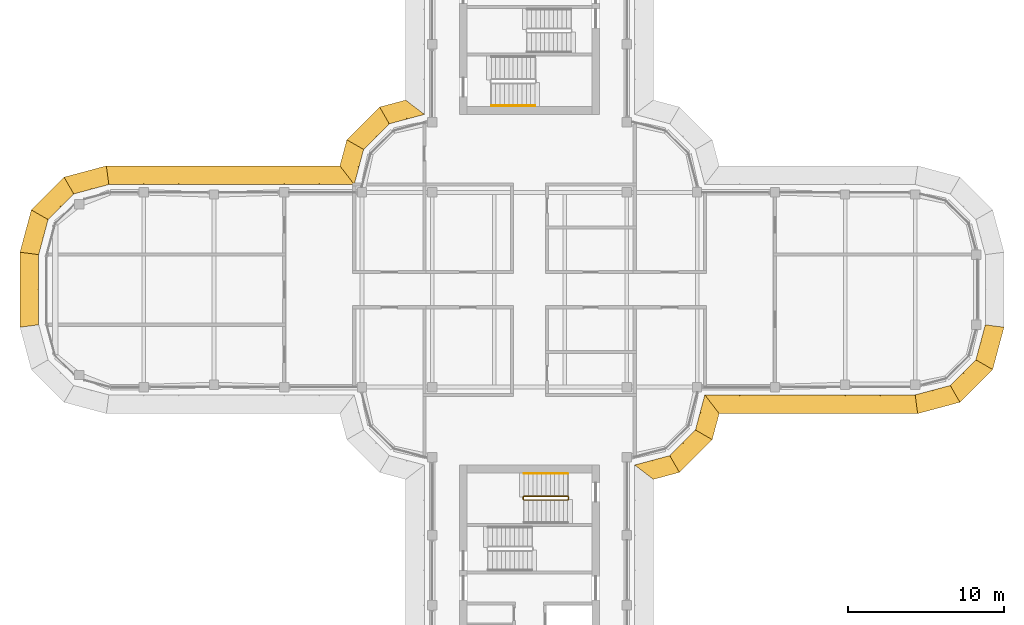
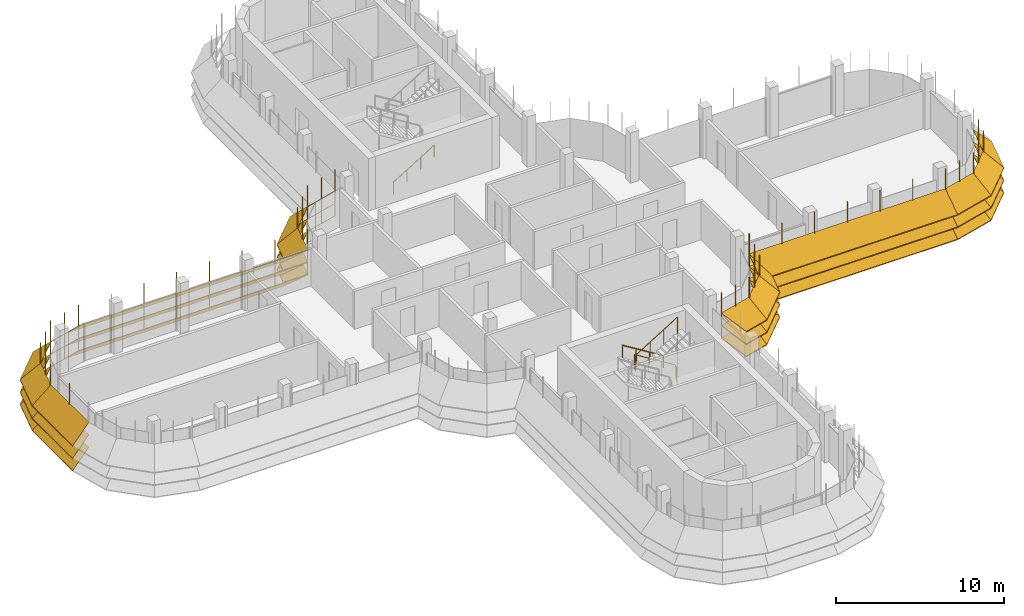
# One storey, part 17 of 19: 7 shading devices, 3 railings.
"""IFC4 building model written with IfcOpenShell, lengths in metres."""

from ifc_helpers import new_model, si_unit, direction, frame, origin, origin_2d, place, context, subcontext, project, spatial, polyline, circle, outline, extrude, faceted_brep, source, transform, mapped, material, type_object, element, save


model = new_model("IFC4")

# Units and contexts
model_context = context("Model", 3, precision=1e-05, world=origin(), true_north=direction((0.0, 1.0)))
body_context = subcontext(model_context, "Body", "Model", "MODEL_VIEW")
ifc_project = project(units=[si_unit("LENGTHUNIT", "METRE"), si_unit("AREAUNIT", "SQUARE_METRE"), si_unit("VOLUMEUNIT", "CUBIC_METRE"), si_unit("PLANEANGLEUNIT", "RADIAN"), si_unit("MASSUNIT", "GRAM", prefix="KILO")], contexts=[model_context])

# Site, building, storey
site_placement = place(None, origin())
site = spatial("IfcSite", under=ifc_project, at=site_placement, CompositionType="ELEMENT")
building_placement = place(site_placement, origin())
building = spatial("IfcBuilding", under=site, at=building_placement, Name="Zarbagh Exchange Tower", CompositionType="ELEMENT")
storey_placement = place(building_placement, frame((0.0, 0.0, 272.60009765625)))
storey = spatial("IfcBuildingStorey", under=building, at=storey_placement, Name="L67", CompositionType="ELEMENT", Elevation=272.60009765625)

# Railings
ifc_material_1 = material(Name="Stainless steel", Category="steel")
railing_type_1 = type_object("IfcRailingType", Name="Stair guard 1100 mm", PredefinedType="GUARDRAIL", material=ifc_material_1)
railing_1_placement = place(storey_placement, frame((-0.35009765625, -13.5, 2.072509765625)))
element("IfcRailing", 1, at=railing_1_placement, inside=storey, type_object=railing_type_1, Name="ST4 stair guard 1", PredefinedType="GUARDRAIL", context=body_context, shape_type="SweptSolid", body=[
    extrude(circle(Radius=0.02392578125, at=origin_2d()), frame((0.0, 0.0, 1.076171875), z_axis=(0.851089632645, 0.0, 0.525020415988), x_axis=(0.0, 1.0, 0.0)), (0.0, 0.0, 1.0), 3.2900390625),
    extrude(circle(Radius=0.02392578125, at=origin_2d()), frame((2.800048828125, 0.0, 2.80322265625), z_axis=(0.013169136761, 0.013169136761, -0.999826558796), x_axis=(-0.707106781187, 0.707106781187, 0.0)), (0.0, 0.0, 1.0), 3.800537109375),
    extrude(circle(Radius=0.02392578125, at=origin_2d()), frame((2.85009765625, 0.050048828125, -0.99658203125), z_axis=(0.0, 1.0, 0.0), x_axis=(-1.0, 0.0, 0.0)), (0.0, 0.0, 1.0), 0.14990234375),
    extrude(circle(Radius=0.02392578125, at=origin_2d()), frame((2.85009765625, 0.199951171875, -0.99658203125), z_axis=(-0.268277960024, 0.268277960024, 0.925231793839), x_axis=(-0.707106781187, -0.707106781187, 0.0)), (0.0, 0.0, 1.0), 0.1865234375),
    extrude(circle(Radius=0.02392578125, at=origin_2d()), frame((2.800048828125, 0.25, -0.82373046875), z_axis=(-0.851089632645, 0.0, 0.525020415988), x_axis=(0.0, -1.0, 0.0)), (0.0, 0.0, 1.0), 3.2900390625),
    extrude(circle(Radius=0.02392578125, at=origin_2d()), frame((0.0, 0.25, 0.9033203125), z_axis=(-0.705375805398, -0.708833529934, 0.0), x_axis=(0.708833529934, -0.705375805398, 0.0)), (0.0, 0.0, 1.0), 0.070556640625),
    extrude(circle(Radius=0.02392578125, at=origin_2d()), frame((-0.0498046875, 0.199951171875, 0.9033203125), z_axis=(0.0, -1.0, 0.0), x_axis=(1.0, 0.0, 0.0)), (0.0, 0.0, 1.0), 0.14990234375),
    extrude(circle(Radius=0.02099609375, at=origin_2d()), origin(), (0.0, 0.0, 1.0), 1.052001953125),
    extrude(circle(Radius=0.02099609375, at=origin_2d()), frame((0.933349609375, 0.0, 0.57568359375)), (0.0, 0.0, 1.0), 1.052001953125),
    extrude(circle(Radius=0.02099609375, at=origin_2d()), frame((1.86669921875, 0.0, 1.151611328125)), (0.0, 0.0, 1.0), 1.052001953125),
    extrude(circle(Radius=0.02099609375, at=origin_2d()), frame((2.800048828125, 0.0, 1.727294921875)), (0.0, 0.0, 1.0), 1.052001953125),
    extrude(circle(Radius=0.02099609375, at=origin_2d()), frame((2.8125, 0.012451171875, 0.77734375)), (0.0, 0.0, 1.0), 1.052001953125),
    extrude(circle(Radius=0.02099609375, at=origin_2d()), frame((2.8251953125, 0.02490234375, -0.172607421875)), (0.0, 0.0, 1.0), 1.052001953125),
    extrude(circle(Radius=0.02099609375, at=origin_2d()), frame((2.837646484375, 0.03759765625, -1.12255859375)), (0.0, 0.0, 1.0), 1.052001953125),
    extrude(circle(Radius=0.02099609375, at=origin_2d()), frame((2.85009765625, 0.050048828125, -2.072509765625)), (0.0, 0.0, 1.0), 1.052001953125),
    extrude(circle(Radius=0.02099609375, at=origin_2d()), frame((2.85009765625, 0.199951171875, -2.072509765625)), (0.0, 0.0, 1.0), 1.052001953125),
    extrude(circle(Radius=0.02099609375, at=origin_2d()), frame((2.800048828125, 0.25, -1.89990234375)), (0.0, 0.0, 1.0), 1.052001953125),
    extrude(circle(Radius=0.02099609375, at=origin_2d()), frame((1.86669921875, 0.25, -1.32421875)), (0.0, 0.0, 1.0), 1.052001953125),
    extrude(circle(Radius=0.02099609375, at=origin_2d()), frame((0.933349609375, 0.25, -0.748291015625)), (0.0, 0.0, 1.0), 1.052001953125),
    extrude(circle(Radius=0.02099609375, at=origin_2d()), frame((0.0, 0.25, -0.172607421875)), (0.0, 0.0, 1.0), 1.052001953125),
    extrude(circle(Radius=0.02099609375, at=origin_2d()), frame((-0.0498046875, 0.199951171875, -0.172607421875)), (0.0, 0.0, 1.0), 1.052001953125),
    extrude(circle(Radius=0.02099609375, at=origin_2d()), frame((-0.0498046875, 0.050048828125, -0.172607421875)), (0.0, 0.0, 1.0), 1.052001953125),
])
railing_type_2 = type_object("IfcRailingType", Name="Stair handrail 900 mm", PredefinedType="HANDRAIL", material=ifc_material_1)
railing_2_placement = place(storey_placement, frame((-2.449951171875, 11.800048828125, 0.172607421875)))
element("IfcRailing", 2, at=railing_2_placement, inside=storey, type_object=railing_type_2, Name="ST2 stair handrail 1", PredefinedType="HANDRAIL", context=body_context, shape_type="SweptSolid", body=[
    extrude(circle(Radius=0.02392578125, at=origin_2d()), frame((0.0, 0.0, 0.8759765625), z_axis=(0.851089632645, 0.0, 0.525020415988), x_axis=(0.0, 1.0, 0.0)), (0.0, 0.0, 1.0), 3.2900390625),
    extrude(circle(Radius=0.02099609375, at=origin_2d()), origin(), (0.0, 0.0, 1.0), 0.851806640625),
    extrude(circle(Radius=0.02099609375, at=origin_2d()), frame((0.933349609375, 0.0, 0.57568359375)), (0.0, 0.0, 1.0), 0.851806640625),
    extrude(circle(Radius=0.02099609375, at=origin_2d()), frame((1.86669921875, 0.0, 1.151611328125)), (0.0, 0.0, 1.0), 0.851806640625),
    extrude(circle(Radius=0.02099609375, at=origin_2d()), frame((2.800048828125, 0.0, 1.727294921875)), (0.0, 0.0, 1.0), 0.851806640625),
])
railing_3_placement = place(storey_placement, frame((2.449951171875, -11.800048828125, 0.172607421875)))
element("IfcRailing", 3, at=railing_3_placement, inside=storey, type_object=railing_type_2, Name="ST4 stair handrail 1", PredefinedType="HANDRAIL", context=body_context, shape_type="SweptSolid", body=[
    extrude(circle(Radius=0.02392578125, at=origin_2d()), frame((0.0, 0.0, 0.8759765625), z_axis=(-0.851089632645, 0.0, 0.525020415988), x_axis=(0.0, -1.0, 0.0)), (0.0, 0.0, 1.0), 3.2900390625),
    extrude(circle(Radius=0.02099609375, at=origin_2d()), origin(), (0.0, 0.0, 1.0), 0.851806640625),
    extrude(circle(Radius=0.02099609375, at=origin_2d()), frame((-0.933349609375, 0.0, 0.57568359375)), (0.0, 0.0, 1.0), 0.851806640625),
    extrude(circle(Radius=0.02099609375, at=origin_2d()), frame((-1.86669921875, 0.0, 1.151611328125)), (0.0, 0.0, 1.0), 0.851806640625),
    extrude(circle(Radius=0.02099609375, at=origin_2d()), frame((-2.800048828125, 0.0, 1.727294921875)), (0.0, 0.0, 1.0), 0.851806640625),
])

# Shading devices
ifc_material_2 = material(Name="Anodised aluminium blades and brackets", Category="aluminium")
shading_device_type = type_object("IfcShadingDeviceType", Name="SUNSHADE louvre band, 45 degree blades", PredefinedType="JALOUSIE", material=ifc_material_2)
shared_shape_1 = source(origin(), body_context, "Body", "Brep", [
    faceted_brep([(0.0, 0.0, 0.0), (0.0, 0.0, -0.056640625), (-0.157958984375, -1.199951171875, -1.256591796875), (-0.157958984375, -1.199951171875, -1.199951171875), (2.65087890625, -1.199951171875, -1.199951171875), (2.65087890625, -1.199951171875, -1.256591796875), (2.329345703125, 0.0, -0.056640625), (2.329345703125, 0.0, 0.0)], [[[0, 1, 2, 3]], [[4, 5, 6, 7]], [[0, 7, 6, 1]], [[1, 6, 5, 2]], [[2, 5, 4, 3]], [[3, 4, 7, 0]]]),
])
shared_shape_2 = source(origin(), body_context, "Body", "Brep", [
    faceted_brep([(0.0, 0.0, 0.0), (0.0, 0.0, -0.056640625), (-0.321533203125, -1.199951171875, -1.256591796875), (-0.321533203125, -1.199951171875, -1.199951171875), (2.65087890625, -1.199951171875, -1.199951171875), (2.65087890625, -1.199951171875, -1.256591796875), (2.329345703125, 0.0, -0.056640625), (2.329345703125, 0.0, 0.0)], [[[0, 1, 2, 3]], [[4, 5, 6, 7]], [[0, 7, 6, 1]], [[1, 6, 5, 2]], [[2, 5, 4, 3]], [[3, 4, 7, 0]]]),
])
shared_shape_3 = source(origin(), body_context, "Body", "Brep", [
    faceted_brep([(0.0, 0.0, 0.0), (0.0, 0.0, -0.056640625), (-0.321533203125, -1.199951171875, -1.256591796875), (-0.321533203125, -1.199951171875, -1.199951171875), (2.4873046875, -1.199951171875, -1.199951171875), (2.4873046875, -1.199951171875, -1.256591796875), (2.329345703125, 0.0, -0.056640625), (2.329345703125, 0.0, 0.0)], [[[0, 1, 2, 3]], [[4, 5, 6, 7]], [[0, 7, 6, 1]], [[1, 6, 5, 2]], [[2, 5, 4, 3]], [[3, 4, 7, 0]]]),
])
shared_shape_4 = source(origin(), body_context, "Body", "SweptSolid", [
    extrude(outline(polyline([(0.0, -0.012451171875), (0.06005859375, -0.012451171875), (0.06005859375, 0.012451171875), (0.0, 0.012451171875), (0.0, -0.012451171875)])), origin(), (0.0, 0.0, 1.0), 3.366455078125),
])
placement = place(storey_placement, origin())
element("IfcShadingDevice", 4, at=placement, inside=storey, type_object=shading_device_type, Name="SS51 sunshade band", PredefinedType="JALOUSIE", context=body_context, shape_type="MappedRepresentation", body=[
    mapped(shared_shape_1, transform((24.75, -6.75, 2.2998046875), x_axis=(0.965924289636, 0.258824779902, 0.0), y_axis=(-0.258824779902, 0.965924289636, 0.0), z_axis=(0.0, 0.0, 1.0))),
    mapped(shared_shape_1, transform((24.75, -6.75, 1.39990234375), x_axis=(0.965924289636, 0.258824779902, 0.0), y_axis=(-0.258824779902, 0.965924289636, 0.0), z_axis=(0.0, 0.0, 1.0))),
    mapped(shared_shape_1, transform((24.75, -6.75, 0.5), x_axis=(0.965924289636, 0.258824779902, 0.0), y_axis=(-0.258824779902, 0.965924289636, 0.0), z_axis=(0.0, 0.0, 1.0))),
    mapped(shared_shape_2, transform((27.0, -6.147216796875, 2.2998046875), x_axis=(0.707106781187, 0.707106781187, 0.0), y_axis=(-0.707106781187, 0.707106781187, 0.0), z_axis=(0.0, 0.0, 1.0))),
    mapped(shared_shape_2, transform((27.0, -6.147216796875, 1.39990234375), x_axis=(0.707106781187, 0.707106781187, 0.0), y_axis=(-0.707106781187, 0.707106781187, 0.0), z_axis=(0.0, 0.0, 1.0))),
    mapped(shared_shape_2, transform((27.0, -6.147216796875, 0.5), x_axis=(0.707106781187, 0.707106781187, 0.0), y_axis=(-0.707106781187, 0.707106781187, 0.0), z_axis=(0.0, 0.0, 1.0))),
    mapped(shared_shape_3, transform((28.647216796875, -4.5, 2.2998046875), x_axis=(0.258824779902, 0.965924289636, 0.0), y_axis=(-0.965924289636, 0.258824779902, 0.0), z_axis=(0.0, 0.0, 1.0))),
    mapped(shared_shape_3, transform((28.647216796875, -4.5, 1.39990234375), x_axis=(0.258824779902, 0.965924289636, 0.0), y_axis=(-0.965924289636, 0.258824779902, 0.0), z_axis=(0.0, 0.0, 1.0))),
    mapped(shared_shape_3, transform((28.647216796875, -4.5, 0.5), x_axis=(0.258824779902, 0.965924289636, 0.0), y_axis=(-0.965924289636, 0.258824779902, 0.0), z_axis=(0.0, 0.0, 1.0))),
    mapped(shared_shape_4, transform((24.75, -6.75, 0.413330078125), x_axis=(0.130529263012, -0.991444457092, 0.0), y_axis=(0.991444457092, 0.130529263012, 0.0), z_axis=(0.0, 0.0, 1.0))),
    mapped(shared_shape_4, transform((25.875, -6.448486328125, 0.413330078125), x_axis=(0.258825058029, -0.96592421511, 0.0), y_axis=(0.96592421511, 0.258825058029, 0.0), z_axis=(0.0, 0.0, 1.0))),
    mapped(shared_shape_4, transform((27.0, -6.147216796875, 0.413330078125), x_axis=(0.50000275701, -0.866023812018, 0.0), y_axis=(0.866023812018, 0.50000275701, 0.0), z_axis=(0.0, 0.0, 1.0))),
    mapped(shared_shape_4, transform((27.823486328125, -5.323486328125, 0.413330078125), x_axis=(0.707106781187, -0.707106781187, 0.0), y_axis=(0.707106781187, 0.707106781187, 0.0), z_axis=(0.0, 0.0, 1.0))),
    mapped(shared_shape_4, transform((28.647216796875, -4.5, 0.413330078125), x_axis=(0.866023812018, -0.50000275701, 0.0), y_axis=(0.50000275701, 0.866023812018, 0.0), z_axis=(0.0, 0.0, 1.0))),
    mapped(shared_shape_4, transform((28.948486328125, -3.375, 0.413330078125), x_axis=(0.96592421511, -0.258825058029, 0.0), y_axis=(0.258825058029, 0.96592421511, 0.0), z_axis=(0.0, 0.0, 1.0))),
])
element("IfcShadingDevice", 5, at=placement, inside=storey, type_object=shading_device_type, Name="SS41 sunshade band", PredefinedType="JALOUSIE", context=body_context, shape_type="MappedRepresentation", body=[
    mapped(shared_shape_1, transform((-27.0, 6.75, 2.2998046875), x_axis=(-0.965924289636, -0.258824779902, 0.0), y_axis=(0.258824779902, -0.965924289636, 0.0), z_axis=(0.0, 0.0, 1.0))),
    mapped(shared_shape_1, transform((-27.0, 6.75, 1.39990234375), x_axis=(-0.965924289636, -0.258824779902, 0.0), y_axis=(0.258824779902, -0.965924289636, 0.0), z_axis=(0.0, 0.0, 1.0))),
    mapped(shared_shape_1, transform((-27.0, 6.75, 0.5), x_axis=(-0.965924289636, -0.258824779902, 0.0), y_axis=(0.258824779902, -0.965924289636, 0.0), z_axis=(0.0, 0.0, 1.0))),
    mapped(shared_shape_2, transform((-29.25, 6.147216796875, 2.2998046875), x_axis=(-0.707106781187, -0.707106781187, 0.0), y_axis=(0.707106781187, -0.707106781187, 0.0), z_axis=(0.0, 0.0, 1.0))),
    mapped(shared_shape_2, transform((-29.25, 6.147216796875, 1.39990234375), x_axis=(-0.707106781187, -0.707106781187, 0.0), y_axis=(0.707106781187, -0.707106781187, 0.0), z_axis=(0.0, 0.0, 1.0))),
    mapped(shared_shape_2, transform((-29.25, 6.147216796875, 0.5), x_axis=(-0.707106781187, -0.707106781187, 0.0), y_axis=(0.707106781187, -0.707106781187, 0.0), z_axis=(0.0, 0.0, 1.0))),
    mapped(shared_shape_3, transform((-30.897216796875, 4.5, 2.2998046875), x_axis=(-0.258824779902, -0.965924289636, 0.0), y_axis=(0.965924289636, -0.258824779902, 0.0), z_axis=(0.0, 0.0, 1.0))),
    mapped(shared_shape_3, transform((-30.897216796875, 4.5, 1.39990234375), x_axis=(-0.258824779902, -0.965924289636, 0.0), y_axis=(0.965924289636, -0.258824779902, 0.0), z_axis=(0.0, 0.0, 1.0))),
    mapped(shared_shape_3, transform((-30.897216796875, 4.5, 0.5), x_axis=(-0.258824779902, -0.965924289636, 0.0), y_axis=(0.965924289636, -0.258824779902, 0.0), z_axis=(0.0, 0.0, 1.0))),
    mapped(shared_shape_4, transform((-27.0, 6.75, 0.413330078125), x_axis=(-0.130529263012, 0.991444457092, 0.0), y_axis=(-0.991444457092, -0.130529263012, 0.0), z_axis=(0.0, 0.0, 1.0))),
    mapped(shared_shape_4, transform((-28.125, 6.448486328125, 0.413330078125), x_axis=(-0.258825058029, 0.96592421511, 0.0), y_axis=(-0.96592421511, -0.258825058029, 0.0), z_axis=(0.0, 0.0, 1.0))),
    mapped(shared_shape_4, transform((-29.25, 6.147216796875, 0.413330078125), x_axis=(-0.50000275701, 0.866023812018, 0.0), y_axis=(-0.866023812018, -0.50000275701, 0.0), z_axis=(0.0, 0.0, 1.0))),
    mapped(shared_shape_4, transform((-30.073486328125, 5.323486328125, 0.413330078125), x_axis=(-0.707106781187, 0.707106781187, 0.0), y_axis=(-0.707106781187, -0.707106781187, 0.0), z_axis=(0.0, 0.0, 1.0))),
    mapped(shared_shape_4, transform((-30.897216796875, 4.5, 0.413330078125), x_axis=(-0.866023812018, 0.50000275701, 0.0), y_axis=(-0.50000275701, -0.866023812018, 0.0), z_axis=(0.0, 0.0, 1.0))),
    mapped(shared_shape_4, transform((-31.198486328125, 3.375, 0.413330078125), x_axis=(-0.96592421511, 0.258825058029, 0.0), y_axis=(-0.258825058029, -0.96592421511, 0.0), z_axis=(0.0, 0.0, 1.0))),
])
shared_shape_5 = source(origin(), body_context, "Body", "Brep", [
    faceted_brep([(0.0, 0.0, 0.0), (0.0, 0.0, -0.056640625), (0.9208984375, -1.199951171875, -1.256591796875), (0.9208984375, -1.199951171875, -1.199951171875), (2.65087890625, -1.199951171875, -1.199951171875), (2.65087890625, -1.199951171875, -1.256591796875), (2.329345703125, 0.0, -0.056640625), (2.329345703125, 0.0, 0.0)], [[[0, 1, 2, 3]], [[4, 5, 6, 7]], [[0, 7, 6, 1]], [[1, 6, 5, 2]], [[2, 5, 4, 3]], [[3, 4, 7, 0]]]),
])
shared_shape_6 = source(origin(), body_context, "Body", "Brep", [
    faceted_brep([(0.0, 0.0, 0.0), (0.0, 0.0, -0.056640625), (-0.321533203125, -1.199951171875, -1.256591796875), (-0.321533203125, -1.199951171875, -1.199951171875), (1.40869140625, -1.199951171875, -1.199951171875), (1.40869140625, -1.199951171875, -1.256591796875), (2.329345703125, 0.0, -0.056640625), (2.329345703125, 0.0, 0.0)], [[[0, 1, 2, 3]], [[4, 5, 6, 7]], [[0, 7, 6, 1]], [[1, 6, 5, 2]], [[2, 5, 4, 3]], [[3, 4, 7, 0]]]),
])
element("IfcShadingDevice", 6, at=placement, inside=storey, type_object=shading_device_type, Name="SS03 sunshade band", PredefinedType="JALOUSIE", context=body_context, shape_type="MappedRepresentation", body=[
    mapped(shared_shape_5, transform((6.75, -11.25, 2.2998046875), x_axis=(0.965924289636, 0.258824779902, 0.0), y_axis=(-0.258824779902, 0.965924289636, 0.0), z_axis=(0.0, 0.0, 1.0))),
    mapped(shared_shape_5, transform((6.75, -11.25, 1.39990234375), x_axis=(0.965924289636, 0.258824779902, 0.0), y_axis=(-0.258824779902, 0.965924289636, 0.0), z_axis=(0.0, 0.0, 1.0))),
    mapped(shared_shape_5, transform((6.75, -11.25, 0.5), x_axis=(0.965924289636, 0.258824779902, 0.0), y_axis=(-0.258824779902, 0.965924289636, 0.0), z_axis=(0.0, 0.0, 1.0))),
    mapped(shared_shape_2, transform((9.0, -10.647216796875, 2.2998046875), x_axis=(0.707106781187, 0.707106781187, 0.0), y_axis=(-0.707106781187, 0.707106781187, 0.0), z_axis=(0.0, 0.0, 1.0))),
    mapped(shared_shape_2, transform((9.0, -10.647216796875, 1.39990234375), x_axis=(0.707106781187, 0.707106781187, 0.0), y_axis=(-0.707106781187, 0.707106781187, 0.0), z_axis=(0.0, 0.0, 1.0))),
    mapped(shared_shape_2, transform((9.0, -10.647216796875, 0.5), x_axis=(0.707106781187, 0.707106781187, 0.0), y_axis=(-0.707106781187, 0.707106781187, 0.0), z_axis=(0.0, 0.0, 1.0))),
    mapped(shared_shape_6, transform((10.647216796875, -9.0, 2.2998046875), x_axis=(0.258824779902, 0.965924289636, 0.0), y_axis=(-0.965924289636, 0.258824779902, 0.0), z_axis=(0.0, 0.0, 1.0))),
    mapped(shared_shape_6, transform((10.647216796875, -9.0, 1.39990234375), x_axis=(0.258824779902, 0.965924289636, 0.0), y_axis=(-0.965924289636, 0.258824779902, 0.0), z_axis=(0.0, 0.0, 1.0))),
    mapped(shared_shape_6, transform((10.647216796875, -9.0, 0.5), x_axis=(0.258824779902, 0.965924289636, 0.0), y_axis=(-0.965924289636, 0.258824779902, 0.0), z_axis=(0.0, 0.0, 1.0))),
    mapped(shared_shape_4, transform((6.75, -11.25, 0.413330078125), x_axis=(0.793355287, -0.608758892, 0.0), y_axis=(0.608758892, 0.793355287, 0.0), z_axis=(0.0, 0.0, 1.0))),
    mapped(shared_shape_4, transform((7.875, -10.948486328125, 0.413330078125), x_axis=(0.258825058029, -0.96592421511, 0.0), y_axis=(0.96592421511, 0.258825058029, 0.0), z_axis=(0.0, 0.0, 1.0))),
    mapped(shared_shape_4, transform((9.0, -10.647216796875, 0.413330078125), x_axis=(0.50000275701, -0.866023812018, 0.0), y_axis=(0.866023812018, 0.50000275701, 0.0), z_axis=(0.0, 0.0, 1.0))),
    mapped(shared_shape_4, transform((9.823486328125, -9.823486328125, 0.413330078125), x_axis=(0.707106781187, -0.707106781187, 0.0), y_axis=(0.707106781187, 0.707106781187, 0.0), z_axis=(0.0, 0.0, 1.0))),
    mapped(shared_shape_4, transform((10.647216796875, -9.0, 0.413330078125), x_axis=(0.866023812018, -0.50000275701, 0.0), y_axis=(0.50000275701, 0.866023812018, 0.0), z_axis=(0.0, 0.0, 1.0))),
    mapped(shared_shape_4, transform((10.948486328125, -7.875, 0.413330078125), x_axis=(0.96592421511, -0.258825058029, 0.0), y_axis=(0.258825058029, 0.96592421511, 0.0), z_axis=(0.0, 0.0, 1.0))),
])
element("IfcShadingDevice", 7, at=placement, inside=storey, type_object=shading_device_type, Name="SS15 sunshade band", PredefinedType="JALOUSIE", context=body_context, shape_type="MappedRepresentation", body=[
    mapped(shared_shape_5, transform((-6.75, 11.25, 2.2998046875), x_axis=(-0.965924289636, -0.258824779902, 0.0), y_axis=(0.258824779902, -0.965924289636, 0.0), z_axis=(0.0, 0.0, 1.0))),
    mapped(shared_shape_5, transform((-6.75, 11.25, 1.39990234375), x_axis=(-0.965924289636, -0.258824779902, 0.0), y_axis=(0.258824779902, -0.965924289636, 0.0), z_axis=(0.0, 0.0, 1.0))),
    mapped(shared_shape_5, transform((-6.75, 11.25, 0.5), x_axis=(-0.965924289636, -0.258824779902, 0.0), y_axis=(0.258824779902, -0.965924289636, 0.0), z_axis=(0.0, 0.0, 1.0))),
    mapped(shared_shape_2, transform((-9.0, 10.647216796875, 2.2998046875), x_axis=(-0.707106781187, -0.707106781187, 0.0), y_axis=(0.707106781187, -0.707106781187, 0.0), z_axis=(0.0, 0.0, 1.0))),
    mapped(shared_shape_2, transform((-9.0, 10.647216796875, 1.39990234375), x_axis=(-0.707106781187, -0.707106781187, 0.0), y_axis=(0.707106781187, -0.707106781187, 0.0), z_axis=(0.0, 0.0, 1.0))),
    mapped(shared_shape_2, transform((-9.0, 10.647216796875, 0.5), x_axis=(-0.707106781187, -0.707106781187, 0.0), y_axis=(0.707106781187, -0.707106781187, 0.0), z_axis=(0.0, 0.0, 1.0))),
    mapped(shared_shape_6, transform((-10.647216796875, 9.0, 2.2998046875), x_axis=(-0.258824779902, -0.965924289636, 0.0), y_axis=(0.965924289636, -0.258824779902, 0.0), z_axis=(0.0, 0.0, 1.0))),
    mapped(shared_shape_6, transform((-10.647216796875, 9.0, 1.39990234375), x_axis=(-0.258824779902, -0.965924289636, 0.0), y_axis=(0.965924289636, -0.258824779902, 0.0), z_axis=(0.0, 0.0, 1.0))),
    mapped(shared_shape_6, transform((-10.647216796875, 9.0, 0.5), x_axis=(-0.258824779902, -0.965924289636, 0.0), y_axis=(0.965924289636, -0.258824779902, 0.0), z_axis=(0.0, 0.0, 1.0))),
    mapped(shared_shape_4, transform((-6.75, 11.25, 0.413330078125), x_axis=(-0.793355287, 0.608758892, 0.0), y_axis=(-0.608758892, -0.793355287, 0.0), z_axis=(0.0, 0.0, 1.0))),
    mapped(shared_shape_4, transform((-7.875, 10.948486328125, 0.413330078125), x_axis=(-0.258825058029, 0.96592421511, 0.0), y_axis=(-0.96592421511, -0.258825058029, 0.0), z_axis=(0.0, 0.0, 1.0))),
    mapped(shared_shape_4, transform((-9.0, 10.647216796875, 0.413330078125), x_axis=(-0.50000275701, 0.866023812018, 0.0), y_axis=(-0.866023812018, -0.50000275701, 0.0), z_axis=(0.0, 0.0, 1.0))),
    mapped(shared_shape_4, transform((-9.823486328125, 9.823486328125, 0.413330078125), x_axis=(-0.707106781187, 0.707106781187, 0.0), y_axis=(-0.707106781187, -0.707106781187, 0.0), z_axis=(0.0, 0.0, 1.0))),
    mapped(shared_shape_4, transform((-10.647216796875, 9.0, 0.413330078125), x_axis=(-0.866023812018, 0.50000275701, 0.0), y_axis=(-0.50000275701, -0.866023812018, 0.0), z_axis=(0.0, 0.0, 1.0))),
    mapped(shared_shape_4, transform((-10.948486328125, 7.875, 0.413330078125), x_axis=(-0.96592421511, 0.258825058029, 0.0), y_axis=(-0.258825058029, -0.96592421511, 0.0), z_axis=(0.0, 0.0, 1.0))),
])
shared_shape_7 = source(origin(), body_context, "Body", "Brep", [
    faceted_brep([(0.0, 0.0, 0.0), (0.0, 0.0, -0.056640625), (0.9208984375, -1.199951171875, -1.256591796875), (0.9208984375, -1.199951171875, -1.199951171875), (13.657958984375, -1.199951171875, -1.199951171875), (13.657958984375, -1.199951171875, -1.256591796875), (13.5, 0.0, -0.056640625), (13.5, 0.0, 0.0)], [[[0, 1, 2, 3]], [[4, 5, 6, 7]], [[0, 7, 6, 1]], [[1, 6, 5, 2]], [[2, 5, 4, 3]], [[3, 4, 7, 0]]]),
])
element("IfcShadingDevice", 8, at=placement, inside=storey, type_object=shading_device_type, Name="SS50 sunshade band", PredefinedType="JALOUSIE", context=body_context, shape_type="MappedRepresentation", body=[
    mapped(shared_shape_7, transform((11.25, -6.75, 2.2998046875), x_axis=(1.0, 0.0, 0.0), y_axis=(0.0, 1.0, 0.0), z_axis=(0.0, 0.0, 1.0))),
    mapped(shared_shape_7, transform((11.25, -6.75, 1.39990234375), x_axis=(1.0, 0.0, 0.0), y_axis=(0.0, 1.0, 0.0), z_axis=(0.0, 0.0, 1.0))),
    mapped(shared_shape_7, transform((11.25, -6.75, 0.5), x_axis=(1.0, 0.0, 0.0), y_axis=(0.0, 1.0, 0.0), z_axis=(0.0, 0.0, 1.0))),
    mapped(shared_shape_4, transform((11.25, -6.75, 0.413330078125), x_axis=(0.608758892, -0.793355287, 0.0), y_axis=(0.793355287, 0.608758892, 0.0), z_axis=(0.0, 0.0, 1.0))),
    mapped(shared_shape_4, transform((13.5, -6.75, 0.413330078125), x_axis=(0.0, -1.0, 0.0), y_axis=(1.0, 0.0, 0.0), z_axis=(0.0, 0.0, 1.0))),
    mapped(shared_shape_4, transform((15.75, -6.75, 0.413330078125), x_axis=(0.0, -1.0, 0.0), y_axis=(1.0, 0.0, 0.0), z_axis=(0.0, 0.0, 1.0))),
    mapped(shared_shape_4, transform((18.0, -6.75, 0.413330078125), x_axis=(0.0, -1.0, 0.0), y_axis=(1.0, 0.0, 0.0), z_axis=(0.0, 0.0, 1.0))),
    mapped(shared_shape_4, transform((20.25, -6.75, 0.413330078125), x_axis=(0.0, -1.0, 0.0), y_axis=(1.0, 0.0, 0.0), z_axis=(0.0, 0.0, 1.0))),
    mapped(shared_shape_4, transform((22.5, -6.75, 0.413330078125), x_axis=(0.0, -1.0, 0.0), y_axis=(1.0, 0.0, 0.0), z_axis=(0.0, 0.0, 1.0))),
])
shared_shape_8 = source(origin(), body_context, "Body", "Brep", [
    faceted_brep([(0.0, 0.0, 0.0), (0.0, 0.0, -0.056640625), (0.9208984375, -1.199951171875, -1.256591796875), (0.9208984375, -1.199951171875, -1.199951171875), (15.907958984375, -1.199951171875, -1.199951171875), (15.907958984375, -1.199951171875, -1.256591796875), (15.75, 0.0, -0.056640625), (15.75, 0.0, 0.0)], [[[0, 1, 2, 3]], [[4, 5, 6, 7]], [[0, 7, 6, 1]], [[1, 6, 5, 2]], [[2, 5, 4, 3]], [[3, 4, 7, 0]]]),
])
element("IfcShadingDevice", 9, at=placement, inside=storey, type_object=shading_device_type, Name="SS40 sunshade band", PredefinedType="JALOUSIE", context=body_context, shape_type="MappedRepresentation", body=[
    mapped(shared_shape_8, transform((-11.25, 6.75, 2.2998046875), x_axis=(-1.0, 0.0, 0.0), y_axis=(0.0, -1.0, 0.0), z_axis=(0.0, 0.0, 1.0))),
    mapped(shared_shape_8, transform((-11.25, 6.75, 1.39990234375), x_axis=(-1.0, 0.0, 0.0), y_axis=(0.0, -1.0, 0.0), z_axis=(0.0, 0.0, 1.0))),
    mapped(shared_shape_8, transform((-11.25, 6.75, 0.5), x_axis=(-1.0, 0.0, 0.0), y_axis=(0.0, -1.0, 0.0), z_axis=(0.0, 0.0, 1.0))),
    mapped(shared_shape_4, transform((-11.25, 6.75, 0.413330078125), x_axis=(-0.608758892, 0.793355287, 0.0), y_axis=(-0.793355287, -0.608758892, 0.0), z_axis=(0.0, 0.0, 1.0))),
    mapped(shared_shape_4, transform((-13.5, 6.75, 0.413330078125), x_axis=(0.0, 1.0, 0.0), y_axis=(-1.0, 0.0, 0.0), z_axis=(0.0, 0.0, 1.0))),
    mapped(shared_shape_4, transform((-15.75, 6.75, 0.413330078125), x_axis=(0.0, 1.0, 0.0), y_axis=(-1.0, 0.0, 0.0), z_axis=(0.0, 0.0, 1.0))),
    mapped(shared_shape_4, transform((-18.0, 6.75, 0.413330078125), x_axis=(0.0, 1.0, 0.0), y_axis=(-1.0, 0.0, 0.0), z_axis=(0.0, 0.0, 1.0))),
    mapped(shared_shape_4, transform((-20.25, 6.75, 0.413330078125), x_axis=(0.0, 1.0, 0.0), y_axis=(-1.0, 0.0, 0.0), z_axis=(0.0, 0.0, 1.0))),
    mapped(shared_shape_4, transform((-22.5, 6.75, 0.413330078125), x_axis=(0.0, 1.0, 0.0), y_axis=(-1.0, 0.0, 0.0), z_axis=(0.0, 0.0, 1.0))),
    mapped(shared_shape_4, transform((-24.75, 6.75, 0.413330078125), x_axis=(0.0, 1.0, 0.0), y_axis=(-1.0, 0.0, 0.0), z_axis=(0.0, 0.0, 1.0))),
])
shared_shape_9 = source(origin(), body_context, "Body", "Brep", [
    faceted_brep([(0.0, 0.0, 0.0), (0.0, 0.0, -0.056640625), (-0.157958984375, -1.199951171875, -1.256591796875), (-0.157958984375, -1.199951171875, -1.199951171875), (4.657958984375, -1.199951171875, -1.199951171875), (4.657958984375, -1.199951171875, -1.256591796875), (4.5, 0.0, -0.056640625), (4.5, 0.0, 0.0)], [[[0, 1, 2, 3]], [[4, 5, 6, 7]], [[0, 7, 6, 1]], [[1, 6, 5, 2]], [[2, 5, 4, 3]], [[3, 4, 7, 0]]]),
])
element("IfcShadingDevice", 10, at=placement, inside=storey, type_object=shading_device_type, Name="SS42 sunshade band", PredefinedType="JALOUSIE", context=body_context, shape_type="MappedRepresentation", body=[
    mapped(shared_shape_9, transform((-31.5, 2.25, 2.2998046875), x_axis=(0.0, -1.0, 0.0), y_axis=(1.0, 0.0, 0.0), z_axis=(0.0, 0.0, 1.0))),
    mapped(shared_shape_9, transform((-31.5, 2.25, 1.39990234375), x_axis=(0.0, -1.0, 0.0), y_axis=(1.0, 0.0, 0.0), z_axis=(0.0, 0.0, 1.0))),
    mapped(shared_shape_9, transform((-31.5, 2.25, 0.5), x_axis=(0.0, -1.0, 0.0), y_axis=(1.0, 0.0, 0.0), z_axis=(0.0, 0.0, 1.0))),
    mapped(shared_shape_4, transform((-31.5, 2.25, 0.413330078125), x_axis=(-0.991444457092, 0.130529263012, 0.0), y_axis=(-0.130529263012, -0.991444457092, 0.0), z_axis=(0.0, 0.0, 1.0))),
    mapped(shared_shape_4, transform((-31.5, 0.0, 0.413330078125), x_axis=(-1.0, 0.0, 0.0), y_axis=(0.0, -1.0, 0.0), z_axis=(0.0, 0.0, 1.0))),
])

save(model, "model.ifc")
